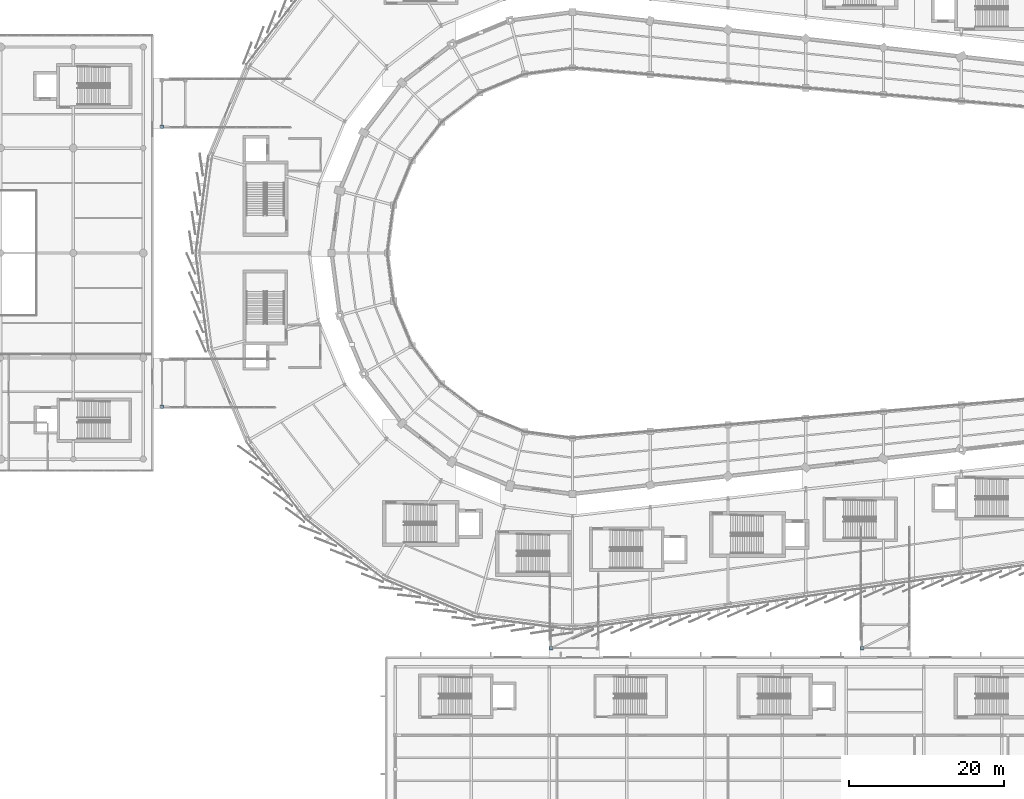
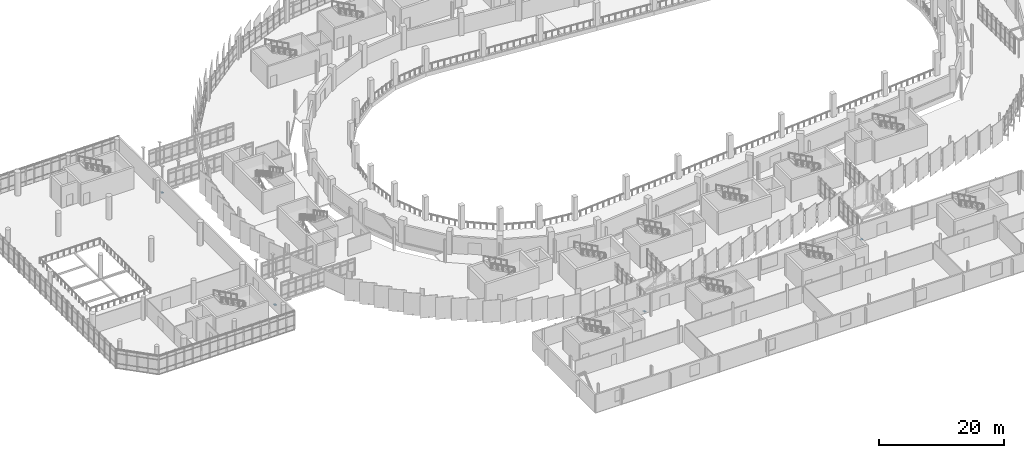
# One storey, part 114 of 125: 4 discrete accessories.
"""IFC4 building model written with IfcOpenShell, lengths in metres."""

from ifc_helpers import new_model, si_unit, direction, frame, origin, origin_2d, place, context, subcontext, project, spatial, rectangle, extrude, material, type_object, element, save


model = new_model("IFC4")

# Units and contexts
model_context = context("Model", 3, precision=1e-05, world=origin(), true_north=direction((0.0, 1.0)))
body_context = subcontext(model_context, "Body", "Model", "MODEL_VIEW")
ifc_project = project(units=[si_unit("LENGTHUNIT", "METRE"), si_unit("AREAUNIT", "SQUARE_METRE"), si_unit("VOLUMEUNIT", "CUBIC_METRE"), si_unit("PLANEANGLEUNIT", "RADIAN"), si_unit("MASSUNIT", "GRAM", prefix="KILO")], contexts=[model_context])

# Site, building, storey
site_placement = place(None, origin())
site = spatial("IfcSite", under=ifc_project, at=site_placement, CompositionType="ELEMENT")
building_placement = place(site_placement, origin())
building = spatial("IfcBuilding", under=site, at=building_placement, Name="Sohan Crest Arena", CompositionType="ELEMENT")
storey_placement = place(building_placement, frame((0.0, 0.0, 9.0)))
storey = spatial("IfcBuildingStorey", under=building, at=storey_placement, Name="L02", CompositionType="ELEMENT", Elevation=9.0)

# Discrete accessories
ifc_material = material(Name="Steel S355", Category="steel")
discrete_accessory_type = type_object("IfcDiscreteAccessoryType", Name="STR-ACC-SLB1", PredefinedType="USERDEFINED", material=ifc_material)
for number, where, z_axis, x_axis, name in (
    (1, (45.199951171875, 58.25, -0.655029296875), (0.0, 0.0, 1.0), (1.0, 0.0, 0.0), "Unguided PTFE sliding bridge bearing BR-W1"),
    (2, (45.199951171875, 94.25, -0.655029296875), (0.0, 0.0, 1.0), (1.0, 0.0, 0.0), "Unguided PTFE sliding bridge bearing BR-W2"),
    (3, (95.25, 27.199951171875, -0.655029296875), (0.0, 0.0, 1.0), (1.0, 0.0, 0.0), "Unguided PTFE sliding bridge bearing BR-S1"),
    (4, (135.25, 27.199951171875, -0.655029296875), (0.0, 0.0, 1.0), (1.0, 0.0, 0.0), "Unguided PTFE sliding bridge bearing BR-S2"),
):
    element("IfcDiscreteAccessory", number, at=place(storey_placement, frame(where, z_axis=z_axis, x_axis=x_axis)), inside=storey, type_object=discrete_accessory_type, Name=name, ObjectType="SLIDING BEARING", PredefinedType="USERDEFINED", context=body_context, shape_type="SweptSolid", body=[
        extrude(rectangle(XDim=0.35009765625, YDim=0.449951171875, at=origin_2d()), origin(), (0.0, 0.0, 1.0), 0.080078125),
    ])

save(model, "model.ifc")
